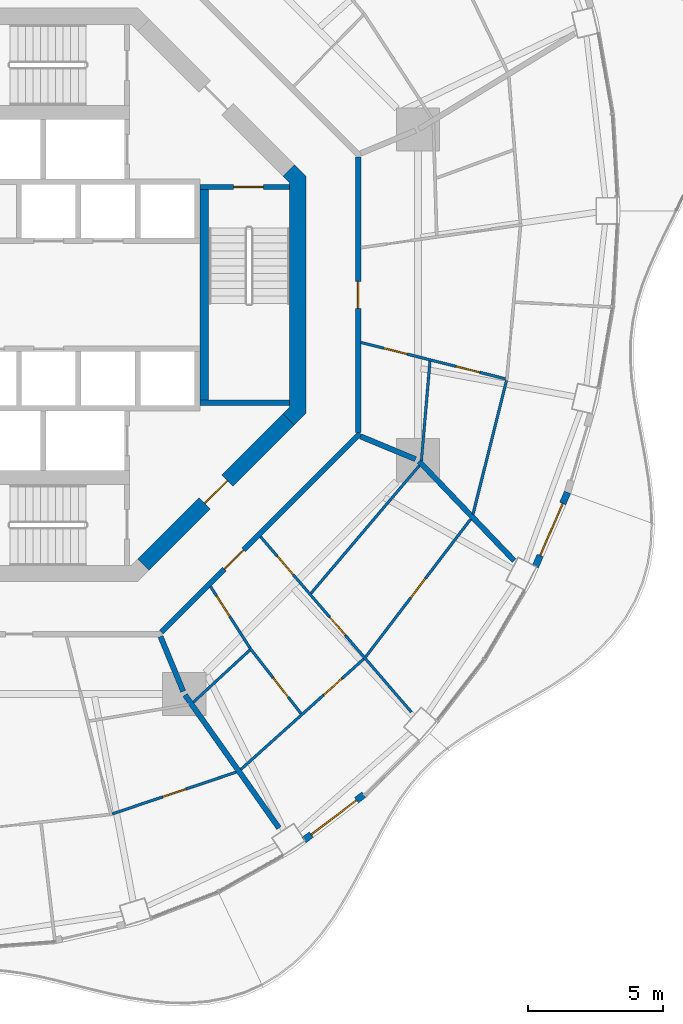
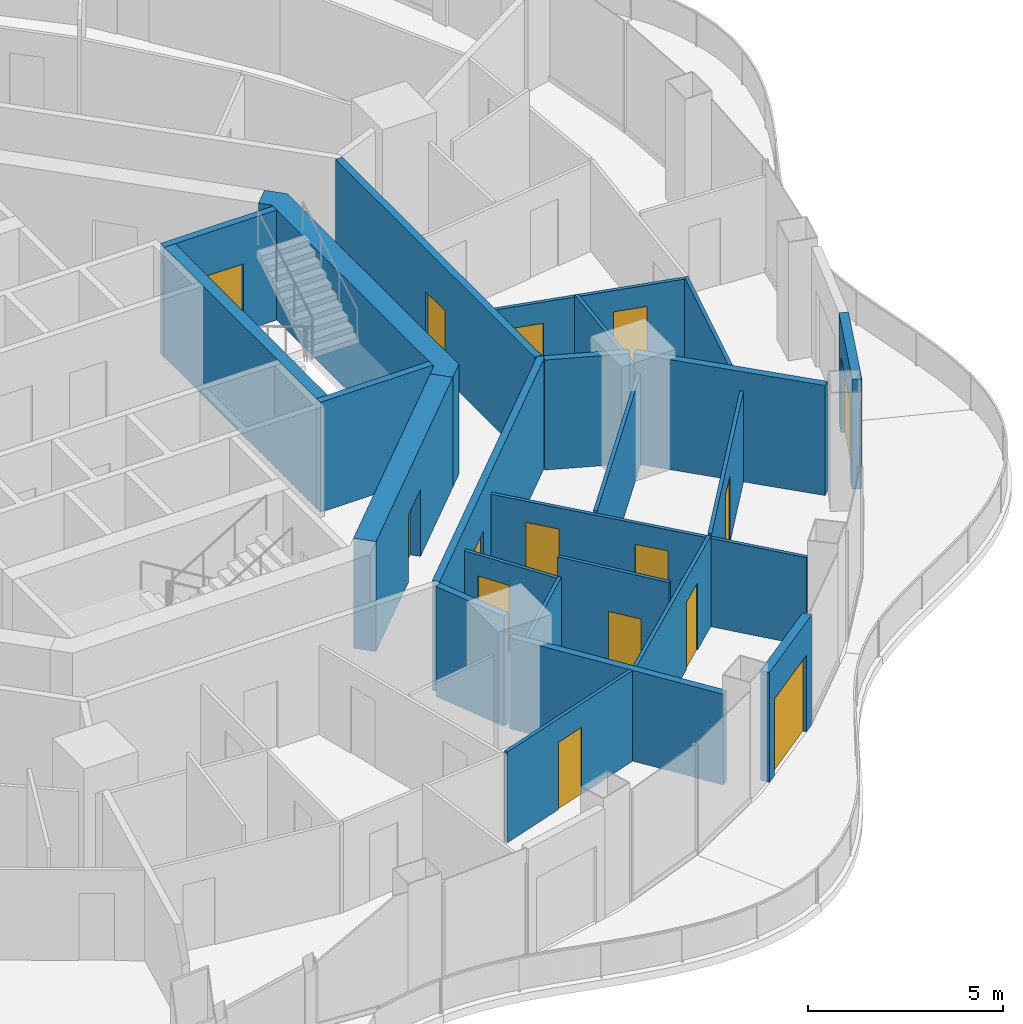
# One storey, part 12 of 18: 24 walls, 15 doors, 15 openings.
"""IFC4 building model written with IfcOpenShell, lengths in metres."""

from ifc_helpers import new_model, si_unit, direction, frame, frame_2d, origin, place, context, subcontext, project, spatial, polyline, rectangle, outline, extrude, material, layer, layer_set, type_object, element, fill, save


model = new_model("IFC4")

# Units and contexts
model_context = context("Model", 3, precision=1e-05, world=origin(), true_north=direction((0.0, 1.0)))
body_context = subcontext(model_context, "Body", "Model", "MODEL_VIEW")
ifc_project = project(units=[si_unit("LENGTHUNIT", "METRE"), si_unit("AREAUNIT", "SQUARE_METRE"), si_unit("VOLUMEUNIT", "CUBIC_METRE"), si_unit("PLANEANGLEUNIT", "RADIAN"), si_unit("MASSUNIT", "GRAM", prefix="KILO")], contexts=[model_context])

# Site, building, storey
site_placement = place(None, origin())
site = spatial("IfcSite", under=ifc_project, at=site_placement, CompositionType="ELEMENT")
building_placement = place(site_placement, origin())
building = spatial("IfcBuilding", under=site, at=building_placement, Name="Nagisa Residences", CompositionType="ELEMENT")
storey_placement = place(building_placement, frame((0.0, 0.0, 234.39990234375)))
storey = spatial("IfcBuildingStorey", under=building, at=storey_placement, Name="L59", CompositionType="ELEMENT", Elevation=234.39990234375)

# Walls
ifc_material_1 = material(Name="Gypsum board on steel studs", Category="steel")
ifc_layer_1 = layer(ifc_material_1, 0.199951171875)
ifc_layer_set_1 = layer_set([ifc_layer_1], Name="Apartment compartment wall EI60 200")
wall_type_1 = type_object("IfcWallType", Name="Apartment compartment wall EI60 200", PredefinedType="PARTITIONING", material=ifc_layer_set_1)
wall_1_placement = place(storey_placement, frame((5.24267578125, -12.6572265625, 0.0), z_axis=(0.0, 0.0, 1.0), x_axis=(0.382691608661, -0.923876145736, 0.0)))
element("IfcWall", 1, at=wall_1_placement, inside=storey, type_object=wall_type_1, Name="wall:L59:u06", PredefinedType="PARTITIONING", context=body_context, shape_type="SweptSolid", body=[
    extrude(rectangle(XDim=2.19970703125, YDim=0.199951171875, at=frame_2d((1.099853515625, 0.0))), origin(), (0.0, 0.0, 1.0), 3.440185546875),
])
wall_2_placement = place(storey_placement, frame((6.15185546875, -14.822998046875, 0.0), z_axis=(0.0, 0.0, 1.0), x_axis=(0.576994695158, -0.816747893637, 0.0)))
element("IfcWall", 2, at=wall_2_placement, inside=storey, type_object=wall_type_1, Name="wall:L59:u07", PredefinedType="PARTITIONING", context=body_context, shape_type="SweptSolid", body=[
    extrude(rectangle(XDim=6.0302734375, YDim=0.199951171875, at=frame_2d((3.01513671875, 0.0))), origin(), (0.0, 0.0, 1.0), 2.837158203125),
])
wall_3_placement = place(storey_placement, frame((12.6572265625, -5.24267578125, 0.0), z_axis=(0.0, 0.0, 1.0), x_axis=(0.923853160736, -0.382747093259, 0.0)))
element("IfcWall", 3, at=wall_3_placement, inside=storey, type_object=wall_type_1, Name="wall:L59:u08", PredefinedType="PARTITIONING", context=body_context, shape_type="SweptSolid", body=[
    extrude(rectangle(XDim=2.199951171875, YDim=0.199951171875, at=frame_2d((1.10009765625, 0.0))), origin(), (0.0, 0.0, 1.0), 3.440185546875),
])
wall_4_placement = place(storey_placement, frame((14.816650390625, -6.1591796875, 0.0), z_axis=(0.0, 0.0, 1.0), x_axis=(0.691437669875, -0.722436120828, 0.0)))
element("IfcWall", 4, at=wall_4_placement, inside=storey, type_object=wall_type_1, Name="wall:L59:u09", PredefinedType="PARTITIONING", context=body_context, shape_type="SweptSolid", body=[
    extrude(rectangle(XDim=5.103515625, YDim=0.199951171875, at=frame_2d((2.5517578125, 0.0))), origin(), (0.0, 0.0, 1.0), 3.440185546875),
])

# Wall, opening, door
ifc_material_2 = material(Name="Gypsum board on steel studs", Category="steel")
ifc_layer_2 = layer(ifc_material_2, 0.199951171875)
ifc_layer_set_2 = layer_set([ifc_layer_2], Name="Apartment entry wall EI60 200")
wall_type_2 = type_object("IfcWallType", Name="Apartment entry wall EI60 200", PredefinedType="PARTITIONING", material=ifc_layer_set_2)
wall_5_placement = place(storey_placement, frame((12.564697265625, -5.1044921875, 0.0), z_axis=(0.0, 0.0, 1.0), x_axis=(0.0, 1.0, 0.0)))
wall_5 = element("IfcWall", 5, at=wall_5_placement, inside=storey, type_object=wall_type_2, Name="wall:L59:u10", PredefinedType="PARTITIONING", context=body_context, shape_type="SweptSolid", body=[
    extrude(rectangle(XDim=10.208984375, YDim=0.199951171875, at=frame_2d((5.1044921875, 0.0))), origin(), (0.0, 0.0, 1.0), 3.440185546875),
])
opening_1_placement = place(wall_5_placement, frame((4.6044921875, 0.0, 0.0)))
opening_1 = element("IfcOpeningElement", 6, at=opening_1_placement, cuts=wall_5, Name="Opening L59-U29", PredefinedType="OPENING", context=body_context, shape_type="SweptSolid", body=[
    extrude(rectangle(XDim=1.0, YDim=2.10009765625, at=frame_2d((0.5, 1.050048828125))), frame((0.0, 0.10986328125, 0.0), z_axis=(0.0, -1.0, 0.0), x_axis=(1.0, 0.0, 0.0)), (0.0, 0.0, 1.0), 0.219970703125),
])
ifc_material_3 = material(Name="Timber fire door set", Category="wood")
door_type_1 = type_object("IfcDoorType", Name="Apartment entry door FD30S 1000x2100", OperationType="NOTDEFINED", PredefinedType="DOOR", material=ifc_material_3)
door_1_placement = place(opening_1_placement, frame((1.0, 0.0, 0.0), x_axis=(-1.0, 0.0, 0.0)))
door_1 = element("IfcDoor", 7, at=door_1_placement, inside=storey, type_object=door_type_1, Name="Entry door, Apartment 59D", OperationType="SINGLE_SWING_RIGHT", OverallHeight=2.10009765625, OverallWidth=1.0, PredefinedType="DOOR", context=body_context, shape_type="SweptSolid", body=[
    extrude(rectangle(XDim=1.0, YDim=2.10009765625, at=frame_2d((0.5, 1.050048828125))), frame((0.0, 0.02490234375, 0.0), z_axis=(0.0, -1.0, 0.0), x_axis=(1.0, 0.0, 0.0)), (0.0, 0.0, 1.0), 0.050048828125),
])
fill(opening_1, door_1)

wall_6_placement = place(storey_placement, frame((5.275146484375, -12.494140625, 0.0), z_axis=(0.0, 0.0, 1.0), x_axis=(0.707106781187, 0.707106781187, 0.0)))
wall_6 = element("IfcWall", 8, at=wall_6_placement, inside=storey, type_object=wall_type_2, Name="wall:L59:u17", PredefinedType="PARTITIONING", context=body_context, shape_type="SweptSolid", body=[
    extrude(rectangle(XDim=10.4091796875, YDim=0.199951171875, at=frame_2d((5.20458984375, 0.0))), origin(), (0.0, 0.0, 1.0), 3.440185546875),
])
opening_2_placement = place(wall_6_placement, frame((3.303466796875, 0.0, 0.0)))
opening_2 = element("IfcOpeningElement", 9, at=opening_2_placement, cuts=wall_6, Name="Opening L59-U22", PredefinedType="OPENING", context=body_context, shape_type="SweptSolid", body=[
    extrude(rectangle(XDim=1.0, YDim=2.10009765625, at=frame_2d((0.5, 1.050048828125))), frame((0.0, 0.10986328125, 0.0), z_axis=(0.0, -1.0, 0.0), x_axis=(1.0, 0.0, 0.0)), (0.0, 0.0, 1.0), 0.219970703125),
])
door_2_placement = place(opening_2_placement, frame((1.0, 0.0, 0.0), x_axis=(-1.0, 0.0, 0.0)))
door_2 = element("IfcDoor", 10, at=door_2_placement, inside=storey, type_object=door_type_1, Name="Entry door, Apartment 59C", OperationType="SINGLE_SWING_LEFT", OverallHeight=2.10009765625, OverallWidth=1.0, PredefinedType="DOOR", context=body_context, shape_type="SweptSolid", body=[
    extrude(rectangle(XDim=1.0, YDim=2.10009765625, at=frame_2d((0.5, 1.050048828125))), frame((0.0, 0.02490234375, 0.0), z_axis=(0.0, -1.0, 0.0), x_axis=(1.0, 0.0, 0.0)), (0.0, 0.0, 1.0), 0.050048828125),
])
fill(opening_2, door_2)

ifc_material_4 = material(Name="Gypsum board on steel studs", Category="steel")
ifc_layer_3 = layer(ifc_material_4, 0.10009765625)
ifc_layer_set_3 = layer_set([ifc_layer_3], Name="Apartment partition 100")
wall_type_3 = type_object("IfcWallType", Name="Apartment partition 100", PredefinedType="PARTITIONING", material=ifc_layer_set_3)
wall_7_placement = place(storey_placement, frame((3.453125, -19.228759765625, 0.0), z_axis=(0.0, 0.0, 1.0), x_axis=(0.947565610716, 0.31956128268, 0.0)))
wall_7 = element("IfcWall", 11, at=wall_7_placement, inside=storey, type_object=wall_type_3, Name="wall:L59:u83", PredefinedType="PARTITIONING", context=body_context, shape_type="SweptSolid", body=[
    extrude(rectangle(XDim=4.852783203125, YDim=0.10009765625, at=frame_2d((2.42626953125, 0.0))), origin(), (0.0, 0.0, 1.0), 2.837158203125),
])
opening_3_placement = place(wall_7_placement, frame((1.976318359375, 0.0, 0.0)))
opening_3 = element("IfcOpeningElement", 12, at=opening_3_placement, cuts=wall_7, Name="Opening L59-U20", PredefinedType="OPENING", context=body_context, shape_type="SweptSolid", body=[
    extrude(rectangle(XDim=0.89990234375, YDim=2.10009765625, at=frame_2d((0.449951171875, 1.050048828125))), frame((0.0, 0.06005859375, 0.0), z_axis=(0.0, -1.0, 0.0), x_axis=(1.0, 0.0, 0.0)), (0.0, 0.0, 1.0), 0.1201171875),
])
ifc_material_5 = material(Name="Timber door set", Category="wood")
door_type_2 = type_object("IfcDoorType", Name="Apartment door 900x2100", OperationType="NOTDEFINED", PredefinedType="DOOR", material=ifc_material_5)
door_3_placement = place(opening_3_placement, frame((0.89990234375, 0.0, 0.0), x_axis=(-1.0, 0.0, 0.0)))
door_3 = element("IfcDoor", 13, at=door_3_placement, inside=storey, type_object=door_type_2, Name="Door to dining room, Apartment 59B", OperationType="SINGLE_SWING_LEFT", OverallHeight=2.10009765625, OverallWidth=0.89990234375, PredefinedType="DOOR", context=body_context, shape_type="SweptSolid", body=[
    extrude(rectangle(XDim=0.89990234375, YDim=2.10009765625, at=frame_2d((0.449951171875, 1.050048828125))), frame((0.0, 0.02490234375, 0.0), z_axis=(0.0, -1.0, 0.0), x_axis=(1.0, 0.0, 0.0)), (0.0, 0.0, 1.0), 0.050048828125),
])
fill(opening_3, door_3)

# Wall
wall_8_placement = place(storey_placement, frame((6.460693359375, -15.08837890625, 0.0), z_axis=(0.0, 0.0, 1.0), x_axis=(0.734625662691, 0.678472649203, 0.0)))
element("IfcWall", 14, at=wall_8_placement, inside=storey, type_object=wall_type_3, Name="wall:L59:u84", PredefinedType="PARTITIONING", context=body_context, shape_type="SweptSolid", body=[
    extrude(rectangle(XDim=2.843505859375, YDim=0.10009765625, at=frame_2d((1.421875, 0.0))), origin(), (0.0, 0.0, 1.0), 2.837158203125),
])

# Wall, opening, door
wall_9_placement = place(storey_placement, frame((8.220458984375, -17.5791015625, 0.0), z_axis=(0.0, 0.0, 1.0), x_axis=(0.743696370895, 0.668517544958, 0.0)))
wall_9 = element("IfcWall", 15, at=wall_9_placement, inside=storey, type_object=wall_type_3, Name="wall:L59:u85", PredefinedType="PARTITIONING", context=body_context, shape_type="SweptSolid", body=[
    extrude(rectangle(XDim=6.124755859375, YDim=0.10009765625, at=frame_2d((3.0625, 0.0))), origin(), (0.0, 0.0, 1.0), 2.837158203125),
])
opening_4_placement = place(wall_9_placement, frame((4.131103515625, 0.0, 0.0)))
opening_4 = element("IfcOpeningElement", 16, at=opening_4_placement, cuts=wall_9, Name="Opening L59-U27", PredefinedType="OPENING", context=body_context, shape_type="SweptSolid", body=[
    extrude(rectangle(XDim=0.89990234375, YDim=2.10009765625, at=frame_2d((0.449951171875, 1.050048828125))), frame((0.0, 0.06005859375, 0.0), z_axis=(0.0, -1.0, 0.0), x_axis=(1.0, 0.0, 0.0)), (0.0, 0.0, 1.0), 0.1201171875),
])
door_4_placement = place(opening_4_placement, frame((0.89990234375, 0.0, 0.0), x_axis=(-1.0, 0.0, 0.0)))
door_4 = element("IfcDoor", 17, at=door_4_placement, inside=storey, type_object=door_type_2, Name="Door to master bedroom, Apartment 59C", OperationType="SINGLE_SWING_RIGHT", OverallHeight=2.10009765625, OverallWidth=0.89990234375, PredefinedType="DOOR", context=body_context, shape_type="SweptSolid", body=[
    extrude(rectangle(XDim=0.89990234375, YDim=2.10009765625, at=frame_2d((0.449951171875, 1.050048828125))), frame((0.0, 0.02490234375, 0.0), z_axis=(0.0, -1.0, 0.0), x_axis=(1.0, 0.0, 0.0)), (0.0, 0.0, 1.0), 0.050048828125),
])
fill(opening_4, door_4)

wall_10_placement = place(storey_placement, frame((7.0986328125, -10.808837890625, 0.0), z_axis=(0.0, 0.0, 1.0), x_axis=(0.540424285965, -0.841392649801, 0.0)))
wall_10 = element("IfcWall", 18, at=wall_10_placement, inside=storey, type_object=wall_type_3, Name="wall:L59:u86", PredefinedType="PARTITIONING", context=body_context, shape_type="SweptSolid", body=[
    extrude(rectangle(XDim=2.702880859375, YDim=0.10009765625, at=frame_2d((1.3515625, 0.0))), origin(), (0.0, 0.0, 1.0), 2.76220703125),
])
opening_5_placement = place(wall_10_placement, frame((0.405029296875, 0.0, 0.0)))
opening_5 = element("IfcOpeningElement", 19, at=opening_5_placement, cuts=wall_10, Name="Opening L59-U23", PredefinedType="OPENING", context=body_context, shape_type="SweptSolid", body=[
    extrude(rectangle(XDim=0.89990234375, YDim=2.10009765625, at=frame_2d((0.449951171875, 1.050048828125))), frame((0.0, 0.06005859375, 0.0), z_axis=(0.0, -1.0, 0.0), x_axis=(1.0, 0.0, 0.0)), (0.0, 0.0, 1.0), 0.1201171875),
])
door_5_placement = place(opening_5_placement, frame((0.89990234375, 0.0, 0.0), x_axis=(-1.0, 0.0, 0.0)))
door_5 = element("IfcDoor", 20, at=door_5_placement, inside=storey, type_object=door_type_2, Name="Door to family bathroom, Apartment 59C", OperationType="SINGLE_SWING_RIGHT", OverallHeight=2.10009765625, OverallWidth=0.89990234375, PredefinedType="DOOR", context=body_context, shape_type="SweptSolid", body=[
    extrude(rectangle(XDim=0.89990234375, YDim=2.10009765625, at=frame_2d((0.449951171875, 1.050048828125))), frame((0.0, 0.02490234375, 0.0), z_axis=(0.0, -1.0, 0.0), x_axis=(1.0, 0.0, 0.0)), (0.0, 0.0, 1.0), 0.050048828125),
])
fill(opening_5, door_5)

wall_11_placement = place(storey_placement, frame((8.555419921875, -13.085693359375, 0.0), z_axis=(0.0, 0.0, 1.0), x_axis=(0.61562093425, -0.788042426087, 0.0)))
wall_11 = element("IfcWall", 21, at=wall_11_placement, inside=storey, type_object=wall_type_3, Name="wall:L59:u87", PredefinedType="PARTITIONING", context=body_context, shape_type="SweptSolid", body=[
    extrude(rectangle(XDim=3.075439453125, YDim=0.10009765625, at=frame_2d((1.53759765625, 0.0))), origin(), (0.0, 0.0, 1.0), 3.440185546875),
])
opening_6_placement = place(wall_11_placement, frame((1.397705078125, 0.0, 0.0)))
opening_6 = element("IfcOpeningElement", 22, at=opening_6_placement, cuts=wall_11, Name="Opening L59-U25", PredefinedType="OPENING", context=body_context, shape_type="SweptSolid", body=[
    extrude(rectangle(XDim=0.89990234375, YDim=2.10009765625, at=frame_2d((0.449951171875, 1.050048828125))), frame((0.0, 0.06005859375, 0.0), z_axis=(0.0, -1.0, 0.0), x_axis=(1.0, 0.0, 0.0)), (0.0, 0.0, 1.0), 0.1201171875),
])
door_6_placement = place(opening_6_placement, frame((0.89990234375, 0.0, 0.0), x_axis=(-1.0, 0.0, 0.0)))
door_6 = element("IfcDoor", 23, at=door_6_placement, inside=storey, type_object=door_type_2, Name="Door to family bathroom, Apartment 59C", OperationType="SINGLE_SWING_RIGHT", OverallHeight=2.10009765625, OverallWidth=0.89990234375, PredefinedType="DOOR", context=body_context, shape_type="SweptSolid", body=[
    extrude(rectangle(XDim=0.89990234375, YDim=2.10009765625, at=frame_2d((0.449951171875, 1.050048828125))), frame((0.0, 0.02490234375, 0.0), z_axis=(0.0, -1.0, 0.0), x_axis=(1.0, 0.0, 0.0)), (0.0, 0.0, 1.0), 0.050048828125),
])
fill(opening_6, door_6)

# Wall, openings, doors
wall_12_placement = place(storey_placement, frame((8.949951171875, -8.96044921875, 0.0), z_axis=(0.0, 0.0, 1.0), x_axis=(0.652102165991, -0.758131100213, 0.0)))
wall_12 = element("IfcWall", 24, at=wall_12_placement, inside=storey, type_object=wall_type_3, Name="wall:L59:u88", PredefinedType="PARTITIONING", context=body_context, shape_type="SweptSolid", body=[
    extrude(rectangle(XDim=8.56787109375, YDim=0.10009765625, at=frame_2d((4.283935546875, 0.0))), origin(), (0.0, 0.0, 1.0), 2.76220703125),
])
opening_7_placement = place(wall_12_placement, frame((0.957275390625, 0.0, 0.0)))
opening_7 = element("IfcOpeningElement", 25, at=opening_7_placement, cuts=wall_12, Name="Opening L59-U24", PredefinedType="OPENING", context=body_context, shape_type="SweptSolid", body=[
    extrude(rectangle(XDim=0.89990234375, YDim=2.10009765625, at=frame_2d((0.449951171875, 1.050048828125))), frame((0.0, 0.06005859375, 0.0), z_axis=(0.0, -1.0, 0.0), x_axis=(1.0, 0.0, 0.0)), (0.0, 0.0, 1.0), 0.1201171875),
])
opening_8_placement = place(wall_12_placement, frame((3.9189453125, 0.0, 0.0)))
opening_8 = element("IfcOpeningElement", 26, at=opening_8_placement, cuts=wall_12, Name="Opening L59-U26", PredefinedType="OPENING", context=body_context, shape_type="SweptSolid", body=[
    extrude(rectangle(XDim=0.89990234375, YDim=2.10009765625, at=frame_2d((0.449951171875, 1.050048828125))), frame((0.0, 0.06005859375, 0.0), z_axis=(0.0, -1.0, 0.0), x_axis=(1.0, 0.0, 0.0)), (0.0, 0.0, 1.0), 0.1201171875),
])
door_7_placement = place(opening_7_placement, origin())
door_7 = element("IfcDoor", 27, at=door_7_placement, inside=storey, type_object=door_type_2, Name="Door to store, Apartment 59C", OperationType="SINGLE_SWING_RIGHT", OverallHeight=2.10009765625, OverallWidth=0.89990234375, PredefinedType="DOOR", context=body_context, shape_type="SweptSolid", body=[
    extrude(rectangle(XDim=0.89990234375, YDim=2.10009765625, at=frame_2d((0.449951171875, 1.050048828125))), frame((0.0, 0.02490234375, 0.0), z_axis=(0.0, -1.0, 0.0), x_axis=(1.0, 0.0, 0.0)), (0.0, 0.0, 1.0), 0.050048828125),
])
fill(opening_7, door_7)
door_8_placement = place(opening_8_placement, origin())
door_8 = element("IfcDoor", 28, at=door_8_placement, inside=storey, type_object=door_type_2, Name="Door to kitchen, Apartment 59C", OperationType="SINGLE_SWING_RIGHT", OverallHeight=2.10009765625, OverallWidth=0.89990234375, PredefinedType="DOOR", context=body_context, shape_type="SweptSolid", body=[
    extrude(rectangle(XDim=0.89990234375, YDim=2.10009765625, at=frame_2d((0.449951171875, 1.050048828125))), frame((0.0, 0.02490234375, 0.0), z_axis=(0.0, -1.0, 0.0), x_axis=(1.0, 0.0, 0.0)), (0.0, 0.0, 1.0), 0.050048828125),
])
fill(opening_8, door_8)

# Wall
wall_13_placement = place(storey_placement, frame((10.817626953125, -11.05615234375, 0.0), z_axis=(0.0, 0.0, 1.0), x_axis=(0.646981604878, 0.762505608471, 0.0)))
element("IfcWall", 29, at=wall_13_placement, inside=storey, type_object=wall_type_3, Name="wall:L59:u89", PredefinedType="PARTITIONING", context=body_context, shape_type="SweptSolid", body=[
    extrude(rectangle(XDim=6.208984375, YDim=0.10009765625, at=frame_2d((3.1044921875, 0.0))), origin(), (0.0, 0.0, 1.0), 2.837158203125),
])

# Wall, opening, door
wall_14_placement = place(storey_placement, frame((12.843017578125, -13.411376953125, 0.0), z_axis=(0.0, 0.0, 1.0), x_axis=(0.606128002625, 0.795367112995, 0.0)))
wall_14 = element("IfcWall", 30, at=wall_14_placement, inside=storey, type_object=wall_type_3, Name="wall:L59:u90", PredefinedType="PARTITIONING", context=body_context, shape_type="SweptSolid", body=[
    extrude(rectangle(XDim=6.419677734375, YDim=0.10009765625, at=frame_2d((3.2099609375, 0.0))), origin(), (0.0, 0.0, 1.0), 2.837158203125),
])
opening_9_placement = place(wall_14_placement, frame((2.760009765625, 0.0, 0.0)))
opening_9 = element("IfcOpeningElement", 31, at=opening_9_placement, cuts=wall_14, Name="Opening L59-U28", PredefinedType="OPENING", context=body_context, shape_type="SweptSolid", body=[
    extrude(rectangle(XDim=0.89990234375, YDim=2.10009765625, at=frame_2d((0.449951171875, 1.050048828125))), frame((0.0, 0.06005859375, 0.0), z_axis=(0.0, -1.0, 0.0), x_axis=(1.0, 0.0, 0.0)), (0.0, 0.0, 1.0), 0.1201171875),
])
door_9_placement = place(opening_9_placement, frame((0.89990234375, 0.0, 0.0), x_axis=(-1.0, 0.0, 0.0)))
door_9 = element("IfcDoor", 32, at=door_9_placement, inside=storey, type_object=door_type_2, Name="Door to kitchen, Apartment 59C", OperationType="SINGLE_SWING_LEFT", OverallHeight=2.10009765625, OverallWidth=0.89990234375, PredefinedType="DOOR", context=body_context, shape_type="SweptSolid", body=[
    extrude(rectangle(XDim=0.89990234375, YDim=2.10009765625, at=frame_2d((0.449951171875, 1.050048828125))), frame((0.0, 0.02490234375, 0.0), z_axis=(0.0, -1.0, 0.0), x_axis=(1.0, 0.0, 0.0)), (0.0, 0.0, 1.0), 0.050048828125),
])
fill(opening_9, door_9)

# Walls
wall_15_placement = place(storey_placement, frame((14.907958984375, -6.14599609375, 0.0), z_axis=(0.0, 0.0, 1.0), x_axis=(0.085881574106, 0.996305352404, 0.0)))
element("IfcWall", 33, at=wall_15_placement, inside=storey, type_object=wall_type_3, Name="wall:L59:u91", PredefinedType="PARTITIONING", context=body_context, shape_type="SweptSolid", body=[
    extrude(rectangle(XDim=3.7041015625, YDim=0.10009765625, at=frame_2d((1.85205078125, 0.0))), origin(), (0.0, 0.0, 1.0), 2.837158203125),
])
wall_16_placement = place(storey_placement, frame((16.81884765625, -8.128662109375, 0.0), z_axis=(0.0, 0.0, 1.0), x_axis=(0.243041266705, 0.970015949703, 0.0)))
element("IfcWall", 34, at=wall_16_placement, inside=storey, type_object=wall_type_3, Name="wall:L59:u92", PredefinedType="PARTITIONING", context=body_context, shape_type="SweptSolid", body=[
    extrude(rectangle(XDim=5.112060546875, YDim=0.10009765625, at=frame_2d((2.55615234375, 0.0))), origin(), (0.0, 0.0, 1.0), 2.837158203125),
])

# Wall, openings, doors
wall_17_placement = place(storey_placement, frame((12.66162109375, -1.75927734375, 0.0), z_axis=(0.0, 0.0, 1.0), x_axis=(0.969746519828, -0.24411408661, 0.0)))
wall_17 = element("IfcWall", 35, at=wall_17_placement, inside=storey, type_object=wall_type_3, Name="wall:L59:u93", PredefinedType="PARTITIONING", context=body_context, shape_type="SweptSolid", body=[
    extrude(rectangle(XDim=5.530517578125, YDim=0.10009765625, at=frame_2d((2.76513671875, 0.0))), origin(), (0.0, 0.0, 1.0), 2.76220703125),
])
opening_10_placement = place(wall_17_placement, frame((0.874267578125, 0.0, 0.0)))
opening_10 = element("IfcOpeningElement", 36, at=opening_10_placement, cuts=wall_17, Name="Opening L59-U30", PredefinedType="OPENING", context=body_context, shape_type="SweptSolid", body=[
    extrude(rectangle(XDim=0.89990234375, YDim=2.10009765625, at=frame_2d((0.449951171875, 1.050048828125))), frame((0.0, 0.06005859375, 0.0), z_axis=(0.0, -1.0, 0.0), x_axis=(1.0, 0.0, 0.0)), (0.0, 0.0, 1.0), 0.1201171875),
])
opening_11_placement = place(wall_17_placement, frame((3.6396484375, 0.0, 0.0)))
opening_11 = element("IfcOpeningElement", 37, at=opening_11_placement, cuts=wall_17, Name="Opening L59-U32", PredefinedType="OPENING", context=body_context, shape_type="SweptSolid", body=[
    extrude(rectangle(XDim=0.89990234375, YDim=2.10009765625, at=frame_2d((0.449951171875, 1.050048828125))), frame((0.0, 0.06005859375, 0.0), z_axis=(0.0, -1.0, 0.0), x_axis=(1.0, 0.0, 0.0)), (0.0, 0.0, 1.0), 0.1201171875),
])
door_10_placement = place(opening_10_placement, frame((0.89990234375, 0.0, 0.0), x_axis=(-1.0, 0.0, 0.0)))
door_10 = element("IfcDoor", 38, at=door_10_placement, inside=storey, type_object=door_type_2, Name="Door to store, Apartment 59D", OperationType="SINGLE_SWING_LEFT", OverallHeight=2.10009765625, OverallWidth=0.89990234375, PredefinedType="DOOR", context=body_context, shape_type="SweptSolid", body=[
    extrude(rectangle(XDim=0.89990234375, YDim=2.10009765625, at=frame_2d((0.449951171875, 1.050048828125))), frame((0.0, 0.02490234375, 0.0), z_axis=(0.0, -1.0, 0.0), x_axis=(1.0, 0.0, 0.0)), (0.0, 0.0, 1.0), 0.050048828125),
])
fill(opening_10, door_10)
door_11_placement = place(opening_11_placement, frame((0.89990234375, 0.0, 0.0), x_axis=(-1.0, 0.0, 0.0)))
door_11 = element("IfcDoor", 39, at=door_11_placement, inside=storey, type_object=door_type_2, Name="Door to kitchen, Apartment 59D", OperationType="SINGLE_SWING_LEFT", OverallHeight=2.10009765625, OverallWidth=0.89990234375, PredefinedType="DOOR", context=body_context, shape_type="SweptSolid", body=[
    extrude(rectangle(XDim=0.89990234375, YDim=2.10009765625, at=frame_2d((0.449951171875, 1.050048828125))), frame((0.0, 0.02490234375, 0.0), z_axis=(0.0, -1.0, 0.0), x_axis=(1.0, 0.0, 0.0)), (0.0, 0.0, 1.0), 0.050048828125),
])
fill(opening_11, door_11)

# Wall, opening, door
ifc_material_6 = material(Name="Precast concrete C40/50", Category="concrete")
ifc_layer_4 = layer(ifc_material_6, 0.25)
ifc_layer_set_4 = layer_set([ifc_layer_4], Name="BALCONY DOOR WALL 250")
wall_type_4 = type_object("IfcWallType", Name="BALCONY DOOR WALL 250", PredefinedType="SOLIDWALL", material=ifc_layer_set_4)
wall_18_placement = place(storey_placement, frame((12.77734375, -18.5126953125, 0.0), z_axis=(0.0, 0.0, 1.0), x_axis=(-0.796022158395, -0.605267480825, 0.0)))
wall_18 = element("IfcWall", 40, at=wall_18_placement, inside=storey, type_object=wall_type_4, Name="wall:L59:bay40", PredefinedType="SOLIDWALL", context=body_context, shape_type="SweptSolid", body=[
    extrude(rectangle(XDim=2.788818359375, YDim=0.25, at=frame_2d((1.39453125, 0.0))), origin(), (0.0, 0.0, 1.0), 3.440185546875),
])
opening_12_placement = place(wall_18_placement, frame((0.34423828125, 0.0, 0.0)))
opening_12 = element("IfcOpeningElement", 41, at=opening_12_placement, cuts=wall_18, Name="Opening BD-L59-14", PredefinedType="OPENING", context=body_context, shape_type="SweptSolid", body=[
    extrude(rectangle(XDim=2.10009765625, YDim=2.39990234375, at=frame_2d((1.050048828125, 1.199951171875))), frame((0.0, 0.135009765625, 0.0), z_axis=(0.0, -1.0, 0.0), x_axis=(1.0, 0.0, 0.0)), (0.0, 0.0, 1.0), 0.27001953125),
])
ifc_material_7 = material(Name="Aluminium and clear glass", Category="aluminium")
door_type_3 = type_object("IfcDoorType", Name="BALCONY SLIDING DOOR 2100x2400", OperationType="SLIDING_TO_LEFT", PredefinedType="DOOR", material=ifc_material_7)
door_12_placement = place(opening_12_placement, origin())
door_12 = element("IfcDoor", 42, at=door_12_placement, inside=storey, type_object=door_type_3, Name="door:L59:bay40", OperationType="SLIDING_TO_LEFT", OverallHeight=2.39990234375, OverallWidth=2.10009765625, PredefinedType="DOOR", context=body_context, shape_type="SweptSolid", body=[
    extrude(rectangle(XDim=2.10009765625, YDim=2.39990234375, at=frame_2d((1.050048828125, 1.199951171875))), frame((0.0, 0.02490234375, 0.0), z_axis=(0.0, -1.0, 0.0), x_axis=(1.0, 0.0, 0.0)), (0.0, 0.0, 1.0), 0.050048828125),
])
fill(opening_12, door_12)

wall_19_placement = place(storey_placement, frame((20.322998046875, -7.314208984375, 0.0), z_axis=(0.0, 0.0, 1.0), x_axis=(-0.397586897646, -0.917564525698, 0.0)))
wall_19 = element("IfcWall", 43, at=wall_19_placement, inside=storey, type_object=wall_type_4, Name="wall:L59:bay44", PredefinedType="SOLIDWALL", context=body_context, shape_type="SweptSolid", body=[
    extrude(rectangle(XDim=3.002197265625, YDim=0.25, at=frame_2d((1.5009765625, 0.0))), origin(), (0.0, 0.0, 1.0), 3.440185546875),
])
opening_13_placement = place(wall_19_placement, frame((0.450927734375, 0.0, 0.0)))
opening_13 = element("IfcOpeningElement", 44, at=opening_13_placement, cuts=wall_19, Name="Opening BD-L59-15", PredefinedType="OPENING", context=body_context, shape_type="SweptSolid", body=[
    extrude(rectangle(XDim=2.10009765625, YDim=2.39990234375, at=frame_2d((1.050048828125, 1.199951171875))), frame((0.0, 0.135009765625, 0.0), z_axis=(0.0, -1.0, 0.0), x_axis=(1.0, 0.0, 0.0)), (0.0, 0.0, 1.0), 0.27001953125),
])
door_13_placement = place(opening_13_placement, origin())
door_13 = element("IfcDoor", 45, at=door_13_placement, inside=storey, type_object=door_type_3, Name="door:L59:bay44", OperationType="SLIDING_TO_LEFT", OverallHeight=2.39990234375, OverallWidth=2.10009765625, PredefinedType="DOOR", context=body_context, shape_type="SweptSolid", body=[
    extrude(rectangle(XDim=2.10009765625, YDim=2.39990234375, at=frame_2d((1.050048828125, 1.199951171875))), frame((0.0, 0.02490234375, 0.0), z_axis=(0.0, -1.0, 0.0), x_axis=(1.0, 0.0, 0.0)), (0.0, 0.0, 1.0), 0.050048828125),
])
fill(opening_13, door_13)

ifc_material_8 = material(Name="Concrete C60", Category="concrete")
ifc_layer_5 = layer(ifc_material_8, 0.60009765625)
ifc_layer_set_5 = layer_set([ifc_layer_5], Name="Core shear wall 600")
wall_type_5 = type_object("IfcWallType", Name="Core shear wall 600", PredefinedType="SHEAR", material=ifc_layer_set_5)
wall_20_placement = place(storey_placement, frame((4.613037109375, -9.98828125, 0.0), z_axis=(0.0, 0.0, 1.0), x_axis=(0.707106781187, 0.707106781187, 0.0)))
wall_20 = element("IfcWall", 46, at=wall_20_placement, inside=storey, type_object=wall_type_5, Name="wall:L59:core:flat7", PredefinedType="SHEAR", context=body_context, shape_type="SweptSolid", body=[
    extrude(rectangle(XDim=7.601806640625, YDim=0.60009765625, at=frame_2d((3.80078125, 0.0))), origin(), (0.0, 0.0, 1.0), 3.440185546875),
])
opening_14_placement = place(wall_20_placement, frame((3.200927734375, 0.0, 0.0)))
opening_14 = element("IfcOpeningElement", 47, at=opening_14_placement, cuts=wall_20, Name="Opening L59-C18", PredefinedType="OPENING", context=body_context, shape_type="SweptSolid", body=[
    extrude(rectangle(XDim=1.199951171875, YDim=2.10009765625, at=frame_2d((0.60009765625, 1.050048828125))), frame((0.0, 0.31005859375, 0.0), z_axis=(0.0, -1.0, 0.0), x_axis=(1.0, 0.0, 0.0)), (0.0, 0.0, 1.0), 0.6201171875),
])
ifc_material_9 = material(Name="Steel fire door", Category="steel")
door_type_4 = type_object("IfcDoorType", Name="Fire door EI60 1200x2100 single swing", OperationType="NOTDEFINED", PredefinedType="DOOR", material=ifc_material_9)
door_14_placement = place(opening_14_placement, origin())
door_14 = element("IfcDoor", 48, at=door_14_placement, inside=storey, type_object=door_type_4, Name="Firefighting lobby 2 door L59", OperationType="SINGLE_SWING_LEFT", OverallHeight=2.10009765625, OverallWidth=1.199951171875, PredefinedType="DOOR", context=body_context, shape_type="SweptSolid", body=[
    extrude(rectangle(XDim=1.199951171875, YDim=2.10009765625, at=frame_2d((0.60009765625, 1.050048828125))), frame((0.0, 0.02490234375, 0.0), z_axis=(0.0, -1.0, 0.0), x_axis=(1.0, 0.0, 0.0)), (0.0, 0.0, 1.0), 0.050048828125),
])
fill(opening_14, door_14)

# Wall
wall_21_placement = place(storey_placement, origin())
element("IfcWall", 49, at=wall_21_placement, inside=storey, type_object=wall_type_5, Name="wall:L59:core:flat0", PredefinedType="SHEAR", context=body_context, shape_type="SweptSolid", body=[
    extrude(outline(polyline([(9.776123046875, -4.40087890625), (10.024658203125, -4.15234375), (10.024658203125, -3.801025390625), (10.024658203125, 4.15234375), (9.776123046875, 4.40087890625), (10.200439453125, 4.8251953125), (10.62451171875, 4.40087890625), (10.62451171875, -4.40087890625), (10.200439453125, -4.8251953125), (9.776123046875, -4.40087890625)])), origin(), (0.0, 0.0, 1.0), 3.440185546875),
])

# Wall, opening, door
ifc_material_10 = material(Name="Concrete C60", Category="concrete")
ifc_layer_6 = layer(ifc_material_10, 0.199951171875)
ifc_layer_set_6 = layer_set([ifc_layer_6], Name="Stair enclosure wall 200")
wall_type_6 = type_object("IfcWallType", Name="Stair enclosure wall 200", PredefinedType="SOLIDWALL", material=ifc_layer_set_6)
wall_22_placement = place(storey_placement, frame((6.699951171875, 4.0, 0.0), z_axis=(0.0, 0.0, 1.0), x_axis=(1.0, 0.0, 0.0)))
wall_22 = element("IfcWall", 50, at=wall_22_placement, inside=storey, type_object=wall_type_6, Name="wall:L59:SE_n", PredefinedType="SOLIDWALL", context=body_context, shape_type="SweptSolid", body=[
    extrude(rectangle(XDim=3.32470703125, YDim=0.199951171875, at=frame_2d((1.662353515625, 0.0))), origin(), (0.0, 0.0, 1.0), 3.440185546875),
])
opening_15_placement = place(wall_22_placement, frame((1.25, 0.0, 0.0)))
opening_15 = element("IfcOpeningElement", 51, at=opening_15_placement, cuts=wall_22, Name="Opening L59-C08", PredefinedType="OPENING", context=body_context, shape_type="SweptSolid", body=[
    extrude(rectangle(XDim=1.10009765625, YDim=2.10009765625, at=frame_2d((0.550048828125, 1.050048828125))), frame((0.0, 0.10986328125, 0.0), z_axis=(0.0, -1.0, 0.0), x_axis=(1.0, 0.0, 0.0)), (0.0, 0.0, 1.0), 0.219970703125),
])
ifc_material_11 = material(Name="Steel fire door", Category="steel")
door_type_5 = type_object("IfcDoorType", Name="Fire door EI90 1100x2100 single swing", OperationType="NOTDEFINED", PredefinedType="DOOR", material=ifc_material_11)
door_15_placement = place(opening_15_placement, frame((1.10009765625, 0.0, 0.0), x_axis=(-1.0, 0.0, 0.0)))
door_15 = element("IfcDoor", 52, at=door_15_placement, inside=storey, type_object=door_type_5, Name="Stair door ST-E L59", OperationType="SINGLE_SWING_LEFT", OverallHeight=2.10009765625, OverallWidth=1.10009765625, PredefinedType="DOOR", context=body_context, shape_type="SweptSolid", body=[
    extrude(rectangle(XDim=1.10009765625, YDim=2.10009765625, at=frame_2d((0.550048828125, 1.050048828125))), frame((0.0, 0.02490234375, 0.0), z_axis=(0.0, -1.0, 0.0), x_axis=(1.0, 0.0, 0.0)), (0.0, 0.0, 1.0), 0.050048828125),
])
fill(opening_15, door_15)

# Walls
wall_23_placement = place(storey_placement, origin())
element("IfcWall", 53, at=wall_23_placement, inside=storey, type_object=wall_type_6, Name="wall:L59:SE_w", PredefinedType="SOLIDWALL", context=body_context, shape_type="SweptSolid", body=[
    extrude(outline(polyline([(7.024658203125, -3.89990234375), (6.699951171875, -3.89990234375), (6.699951171875, 3.89990234375), (7.024658203125, 3.89990234375), (7.024658203125, -3.89990234375)])), origin(), (0.0, 0.0, 1.0), 3.440185546875),
])
wall_24_placement = place(storey_placement, origin())
element("IfcWall", 54, at=wall_24_placement, inside=storey, type_object=wall_type_6, Name="wall:L59:SE_s", PredefinedType="SOLIDWALL", context=body_context, shape_type="SweptSolid", body=[
    extrude(outline(polyline([(10.024658203125, -4.10009765625), (6.699951171875, -4.10009765625), (6.699951171875, -3.89990234375), (10.024658203125, -3.89990234375), (10.024658203125, -4.10009765625)])), origin(), (0.0, 0.0, 1.0), 3.440185546875),
])

save(model, "model.ifc")
